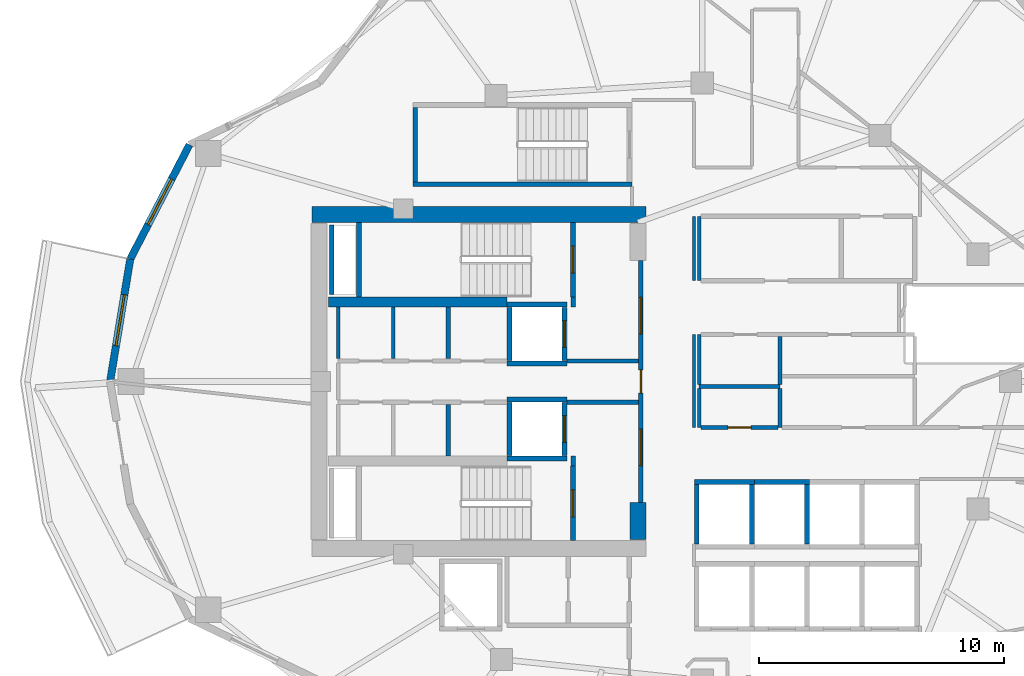
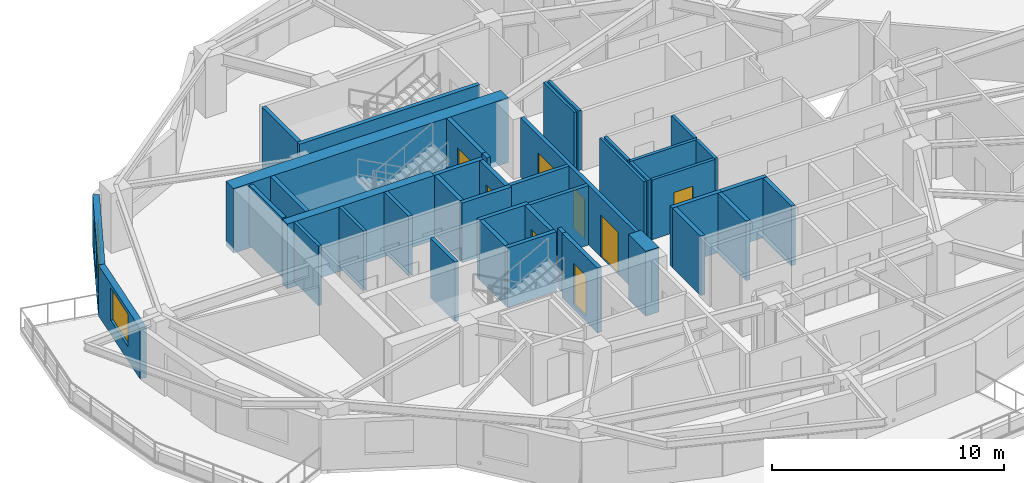
# One storey, part 4 of 14: 42 walls, 8 doors, 2 windows, 10 openings.
"""IFC4 building model written with IfcOpenShell, lengths in metres."""

from ifc_helpers import new_model, si_unit, direction, frame, frame_2d, origin, place, context, subcontext, project, spatial, rectangle, extrude, material, layer, layer_set, type_object, element, fill, save


model = new_model("IFC4")

# Units and contexts
model_context = context("Model", 3, precision=1e-05, world=origin(), true_north=direction((0.0, 1.0)))
body_context = subcontext(model_context, "Body", "Model", "MODEL_VIEW")
ifc_project = project(units=[si_unit("LENGTHUNIT", "METRE"), si_unit("AREAUNIT", "SQUARE_METRE"), si_unit("VOLUMEUNIT", "CUBIC_METRE"), si_unit("PLANEANGLEUNIT", "RADIAN"), si_unit("MASSUNIT", "GRAM", prefix="KILO")], contexts=[model_context])

# Site, building, storey
site_placement = place(None, origin())
site = spatial("IfcSite", under=ifc_project, at=site_placement, CompositionType="ELEMENT")
building_placement = place(site_placement, origin())
building = spatial("IfcBuilding", under=site, at=building_placement, Name="Kolvaren Gate Tower and Convention Centre", CompositionType="ELEMENT")
storey_placement = place(building_placement, frame((0.0, 0.0, 112.10009765625)))
storey = spatial("IfcBuildingStorey", under=building, at=storey_placement, Name="L27", CompositionType="ELEMENT", Elevation=112.10009765625)

# Walls
ifc_material_1 = material(Name="Autoclaved Aerated Masonry Blockwork Class 4 (4.0 MPa)", Category="masonry")
ifc_layer_1 = layer(ifc_material_1, 0.179931640625)
ifc_layer_set_1 = layer_set([ifc_layer_1], Name="Autoclaved Aerated Masonry Blockwork Class 4 (4.0 MPa)")
wall_type_1 = type_object("IfcWallType", Name="ARCH-WL-COMP-180", PredefinedType="SOLIDWALL", material=ifc_layer_set_1)
for number, where, z_axis, x_axis, name in (
    (1, (24.85009765625, 23.5400390625, 0.0), (0.0, 0.0, 1.0), (0.0, 1.0, 0.0), "Interior Partition WL-L27-INT-001"),
    (2, (24.85009765625, 30.0400390625, 0.0), (0.0, 0.0, 1.0), (0.0, 1.0, 0.0), "Interior Partition WL-L27-INT-002"),
):
    element("IfcWall", number, at=place(storey_placement, frame(where, z_axis=z_axis, x_axis=x_axis)), inside=storey, type_object=wall_type_1, Name=name, PredefinedType="SOLIDWALL", context=body_context, shape_type="SweptSolid", body=[
        extrude(rectangle(XDim=0.419921875, YDim=0.179931640625, at=frame_2d((0.2099609375, 0.0))), origin(), (0.0, 0.0, 1.0), 3.1298828125),
    ])

# Wall, openings, doors
wall_1_placement = place(storey_placement, frame((27.6201171875, 22.050048828125, 0.0), z_axis=(0.0, 0.0, 1.0), x_axis=(0.0, 1.0, 0.0)))
wall_1 = element("IfcWall", 3, at=wall_1_placement, inside=storey, type_object=wall_type_1, Name="Interior Partition WL-L27-INT-003", PredefinedType="SOLIDWALL", context=body_context, shape_type="SweptSolid", body=[
    extrude(rectangle(XDim=9.89990234375, YDim=0.179931640625, at=frame_2d((4.949951171875, 0.0))), origin(), (0.0, 0.0, 1.0), 3.1298828125),
])
opening_1_placement = place(wall_1_placement, frame((4.47509765625, 0.0, 0.0)))
opening_1 = element("IfcOpeningElement", 4, at=opening_1_placement, cuts=wall_1, Name="Opening DR-01", PredefinedType="OPENING", context=body_context, shape_type="SweptSolid", body=[
    extrude(rectangle(XDim=0.949951171875, YDim=2.10009765625, at=frame_2d((0.47509765625, 1.050048828125))), frame((0.0, 0.099853515625, 0.0), z_axis=(0.0, -1.0, 0.0), x_axis=(1.0, 0.0, 0.0)), (0.0, 0.0, 1.0), 0.199951171875),
])
opening_2_placement = place(wall_1_placement, frame((6.889892578125, 0.0, 0.0)))
opening_2 = element("IfcOpeningElement", 5, at=opening_2_placement, cuts=wall_1, Name="Opening DL-01", PredefinedType="OPENING", context=body_context, shape_type="SweptSolid", body=[
    extrude(rectangle(XDim=1.5, YDim=2.199951171875, at=frame_2d((0.75, 1.10009765625))), frame((0.0, 0.099853515625, 0.0), z_axis=(0.0, -1.0, 0.0), x_axis=(1.0, 0.0, 0.0)), (0.0, 0.0, 1.0), 0.199951171875),
])
opening_3_placement = place(wall_1_placement, frame((1.510009765625, 0.0, 0.0)))
opening_3 = element("IfcOpeningElement", 6, at=opening_3_placement, cuts=wall_1, Name="Opening DL-01", PredefinedType="OPENING", context=body_context, shape_type="SweptSolid", body=[
    extrude(rectangle(XDim=1.5, YDim=2.199951171875, at=frame_2d((0.75, 1.10009765625))), frame((0.0, 0.099853515625, 0.0), z_axis=(0.0, -1.0, 0.0), x_axis=(1.0, 0.0, 0.0)), (0.0, 0.0, 1.0), 0.199951171875),
])
ifc_material_2 = material(Name="Painted Architectural Steelwork ASTM A500 Grade C 345 MPa", Category="steel")
door_type_1 = type_object("IfcDoorType", Name="ARCH-DR-LOBBY-1500", OperationType="DOUBLE_DOOR_SINGLE_SWING", PredefinedType="DOOR", material=ifc_material_2)
door_1_placement = place(opening_2_placement, origin())
door_1 = element("IfcDoor", 7, at=door_1_placement, inside=storey, type_object=door_type_1, Name="North Firefighting Stair and Lift Lobby Door", OperationType="DOUBLE_DOOR_SINGLE_SWING", OverallHeight=2.199951171875, OverallWidth=1.5, PredefinedType="DOOR", context=body_context, shape_type="SweptSolid", body=[
    extrude(rectangle(XDim=1.5, YDim=2.199951171875, at=frame_2d((0.75, 1.10009765625))), frame((0.0, 0.02490234375, 0.0), z_axis=(0.0, -1.0, 0.0), x_axis=(1.0, 0.0, 0.0)), (0.0, 0.0, 1.0), 0.050048828125),
])
fill(opening_2, door_1)
door_2_placement = place(opening_3_placement, origin())
door_2 = element("IfcDoor", 8, at=door_2_placement, inside=storey, type_object=door_type_1, Name="South Firefighting Stair and Lift Lobby Door", OperationType="DOUBLE_DOOR_SINGLE_SWING", OverallHeight=2.199951171875, OverallWidth=1.5, PredefinedType="DOOR", context=body_context, shape_type="SweptSolid", body=[
    extrude(rectangle(XDim=1.5, YDim=2.199951171875, at=frame_2d((0.75, 1.10009765625))), frame((0.0, 0.02490234375, 0.0), z_axis=(0.0, -1.0, 0.0), x_axis=(1.0, 0.0, 0.0)), (0.0, 0.0, 1.0), 0.050048828125),
])
fill(opening_3, door_2)
door_type_2 = type_object("IfcDoorType", Name="ARCH-DR-RISER-950", OperationType="SINGLE_SWING_RIGHT", PredefinedType="DOOR", material=ifc_material_2)
door_3_placement = place(opening_1_placement, origin())
door_3 = element("IfcDoor", 9, at=door_3_placement, inside=storey, type_object=door_type_2, Name="Central MEP Service Corridor Door", OperationType="SINGLE_SWING_LEFT", OverallHeight=2.10009765625, OverallWidth=0.949951171875, PredefinedType="DOOR", context=body_context, shape_type="SweptSolid", body=[
    extrude(rectangle(XDim=0.949951171875, YDim=2.10009765625, at=frame_2d((0.47509765625, 1.050048828125))), frame((0.0, 0.02490234375, 0.0), z_axis=(0.0, -1.0, 0.0), x_axis=(1.0, 0.0, 0.0)), (0.0, 0.0, 1.0), 0.050048828125),
])
fill(opening_1, door_3)

# Walls
for number, where, z_axis, x_axis, name in (
    (10, (24.60009765625, 27.840087890625, 0.0), (0.0, 0.0, 1.0), (1.0, 0.0, 0.0), "Interior Partition WL-L27-INT-004 (2)"),
    (11, (24.60009765625, 26.159912109375, 0.0), (0.0, 0.0, 1.0), (1.0, 0.0, 0.0), "Interior Partition WL-L27-INT-005 (2)"),
):
    element("IfcWall", number, at=place(storey_placement, frame(where, z_axis=z_axis, x_axis=x_axis)), inside=storey, type_object=wall_type_1, Name=name, PredefinedType="SOLIDWALL", context=body_context, shape_type="SweptSolid", body=[
        extrude(rectangle(XDim=2.927978515625, YDim=0.179931640625, at=frame_2d((1.4638671875, 0.0))), origin(), (0.0, 0.0, 1.0), 3.1298828125),
    ])
for number, where, z_axis, x_axis, name in (
    (12, (19.75, 23.9619140625, 0.0), (0.0, 0.0, 1.0), (0.0, 1.0, 0.0), "Interior Partition WL-L27-INT-007"),
    (13, (19.75, 27.931884765625, 0.0), (0.0, 0.0, 1.0), (0.0, 1.0, 0.0), "Interior Partition WL-L27-INT-008"),
):
    element("IfcWall", number, at=place(storey_placement, frame(where, z_axis=z_axis, x_axis=x_axis)), inside=storey, type_object=wall_type_1, Name=name, PredefinedType="SOLIDWALL", context=body_context, shape_type="SweptSolid", body=[
        extrude(rectangle(XDim=2.106201171875, YDim=0.179931640625, at=frame_2d((1.05322265625, 0.0))), origin(), (0.0, 0.0, 1.0), 3.1298828125),
    ])
ifc_material_3 = material(Name="Fire-Rated Acoustic Gypsum Stud Partition", Category="gypsum")
ifc_layer_2 = layer(ifc_material_3, 0.1201171875)
ifc_layer_set_2 = layer_set([ifc_layer_2], Name="Fire-Rated Acoustic Gypsum Stud Partition")
wall_type_2 = type_object("IfcWallType", Name="ARCH-WL-PART-120", PredefinedType="PARTITIONING", material=ifc_layer_set_2)
wall_2_placement = place(storey_placement, frame((29.780029296875, 25.1201171875, 0.0), z_axis=(0.0, 0.0, 1.0), x_axis=(0.0, 1.0, 0.0)))
element("IfcWall", 14, at=wall_2_placement, inside=storey, type_object=wall_type_2, Name="Interior Partition WL-L27-INT-036", PredefinedType="PARTITIONING", context=body_context, shape_type="SweptSolid", body=[
    extrude(rectangle(XDim=3.7998046875, YDim=0.1201171875, at=frame_2d((1.89990234375, 0.0))), origin(), (0.0, 0.0, 1.0), 3.1298828125),
])
wall_3_placement = place(storey_placement, frame((29.780029296875, 31.1201171875, 0.0), z_axis=(0.0, 0.0, 1.0), x_axis=(0.0, 1.0, 0.0)))
element("IfcWall", 15, at=wall_3_placement, inside=storey, type_object=wall_type_2, Name="Interior Partition WL-L27-INT-037", PredefinedType="PARTITIONING", context=body_context, shape_type="SweptSolid", body=[
    extrude(rectangle(XDim=2.6298828125, YDim=0.1201171875, at=frame_2d((1.31494140625, 0.0))), origin(), (0.0, 0.0, 1.0), 3.1298828125),
])
ifc_layer_3 = layer(ifc_material_1, 0.199951171875)
ifc_layer_set_3 = layer_set([ifc_layer_3], Name="Autoclaved Aerated Masonry Blockwork Class 4 (4.0 MPa)")
wall_type_3 = type_object("IfcWallType", Name="ARCH-WL-SHAFT-200", PredefinedType="SOLIDWALL", material=ifc_layer_set_3)
for number, where, z_axis, x_axis, name in (
    (16, (22.14990234375, 30.139892578125, 0.0), (0.0, 0.0, 1.0), (1.0, 0.0, 0.0), "Elevator FF-01 L27 Fire Shaft Wall N"),
    (17, (22.14990234375, 27.739990234375, 0.0), (0.0, 0.0, 1.0), (1.0, 0.0, 0.0), "Elevator FF-01 L27 Fire Shaft Wall S"),
):
    element("IfcWall", number, at=place(storey_placement, frame(where, z_axis=z_axis, x_axis=x_axis)), inside=storey, type_object=wall_type_3, Name=name, PredefinedType="SOLIDWALL", context=body_context, shape_type="SweptSolid", body=[
        extrude(rectangle(XDim=2.4501953125, YDim=0.199951171875, at=frame_2d((1.22509765625, 0.0))), origin(), (0.0, 0.0, 1.0), 3.1298828125),
    ])
wall_4_placement = place(storey_placement, frame((22.25, 27.85009765625, 0.0), z_axis=(0.0, 0.0, 1.0), x_axis=(0.0, 1.0, 0.0)))
element("IfcWall", 18, at=wall_4_placement, inside=storey, type_object=wall_type_3, Name="Elevator FF-01 L27 Fire Shaft Wall W", PredefinedType="SOLIDWALL", context=body_context, shape_type="SweptSolid", body=[
    extrude(rectangle(XDim=2.179931640625, YDim=0.199951171875, at=frame_2d((1.08984375, 0.0))), origin(), (0.0, 0.0, 1.0), 3.1298828125),
])

# Wall, opening, door
wall_5_placement = place(storey_placement, frame((24.5, 27.85009765625, 0.0), z_axis=(0.0, 0.0, 1.0), x_axis=(0.0, 1.0, 0.0)))
wall_5 = element("IfcWall", 19, at=wall_5_placement, inside=storey, type_object=wall_type_3, Name="Elevator FF-01 L27 Fire Shaft Wall E", PredefinedType="SOLIDWALL", context=body_context, shape_type="SweptSolid", body=[
    extrude(rectangle(XDim=2.179931640625, YDim=0.199951171875, at=frame_2d((1.08984375, 0.0))), origin(), (0.0, 0.0, 1.0), 3.1298828125),
])
opening_4_placement = place(wall_5_placement, frame((0.5400390625, 0.0, 0.0)))
opening_4 = element("IfcOpeningElement", 20, at=opening_4_placement, cuts=wall_5, Name="Opening LD", PredefinedType="OPENING", context=body_context, shape_type="SweptSolid", body=[
    extrude(rectangle(XDim=1.10009765625, YDim=2.199951171875, at=frame_2d((0.550048828125, 1.10009765625))), frame((0.0, 0.10986328125, 0.0), z_axis=(0.0, -1.0, 0.0), x_axis=(1.0, 0.0, 0.0)), (0.0, 0.0, 1.0), 0.219970703125),
])
ifc_material_4 = material(Name="Brushed Stainless Steel Grade 316L", Category="steel")
door_type_3 = type_object("IfcDoorType", Name="ARCH-DR-LIFT-1100", OperationType="SLIDING_TO_LEFT", PredefinedType="DOOR", material=ifc_material_4)
door_4_placement = place(opening_4_placement, origin())
door_4 = element("IfcDoor", 21, at=door_4_placement, inside=storey, type_object=door_type_3, Name="Elevator FF-01 L27 Sliding Landing Door", OperationType="SLIDING_TO_LEFT", OverallHeight=2.199951171875, OverallWidth=1.10009765625, PredefinedType="DOOR", context=body_context, shape_type="SweptSolid", body=[
    extrude(rectangle(XDim=1.10009765625, YDim=2.199951171875, at=frame_2d((0.550048828125, 1.10009765625))), frame((0.0, 0.02490234375, 0.0), z_axis=(0.0, -1.0, 0.0), x_axis=(1.0, 0.0, 0.0)), (0.0, 0.0, 1.0), 0.050048828125),
])
fill(opening_4, door_4)

# Walls
for number, where, z_axis, x_axis, name in (
    (22, (22.14990234375, 26.260009765625, 0.0), (0.0, 0.0, 1.0), (1.0, 0.0, 0.0), "Elevator FF-02 L27 Fire Shaft Wall N"),
    (23, (22.14990234375, 23.860107421875, 0.0), (0.0, 0.0, 1.0), (1.0, 0.0, 0.0), "Elevator FF-02 L27 Fire Shaft Wall S"),
):
    element("IfcWall", number, at=place(storey_placement, frame(where, z_axis=z_axis, x_axis=x_axis)), inside=storey, type_object=wall_type_3, Name=name, PredefinedType="SOLIDWALL", context=body_context, shape_type="SweptSolid", body=[
        extrude(rectangle(XDim=2.4501953125, YDim=0.199951171875, at=frame_2d((1.22509765625, 0.0))), origin(), (0.0, 0.0, 1.0), 3.1298828125),
    ])
wall_6_placement = place(storey_placement, frame((22.25, 23.969970703125, 0.0), z_axis=(0.0, 0.0, 1.0), x_axis=(0.0, 1.0, 0.0)))
element("IfcWall", 24, at=wall_6_placement, inside=storey, type_object=wall_type_3, Name="Elevator FF-02 L27 Fire Shaft Wall W", PredefinedType="SOLIDWALL", context=body_context, shape_type="SweptSolid", body=[
    extrude(rectangle(XDim=2.179931640625, YDim=0.199951171875, at=frame_2d((1.08984375, 0.0))), origin(), (0.0, 0.0, 1.0), 3.1298828125),
])

# Wall, opening, door
wall_7_placement = place(storey_placement, frame((24.5, 23.969970703125, 0.0), z_axis=(0.0, 0.0, 1.0), x_axis=(0.0, 1.0, 0.0)))
wall_7 = element("IfcWall", 25, at=wall_7_placement, inside=storey, type_object=wall_type_3, Name="Elevator FF-02 L27 Fire Shaft Wall E", PredefinedType="SOLIDWALL", context=body_context, shape_type="SweptSolid", body=[
    extrude(rectangle(XDim=2.179931640625, YDim=0.199951171875, at=frame_2d((1.08984375, 0.0))), origin(), (0.0, 0.0, 1.0), 3.1298828125),
])
opening_5_placement = place(wall_7_placement, frame((0.5400390625, 0.0, 0.0)))
opening_5 = element("IfcOpeningElement", 26, at=opening_5_placement, cuts=wall_7, Name="Opening LD", PredefinedType="OPENING", context=body_context, shape_type="SweptSolid", body=[
    extrude(rectangle(XDim=1.10009765625, YDim=2.199951171875, at=frame_2d((0.550048828125, 1.10009765625))), frame((0.0, 0.10986328125, 0.0), z_axis=(0.0, -1.0, 0.0), x_axis=(1.0, 0.0, 0.0)), (0.0, 0.0, 1.0), 0.219970703125),
])
door_5_placement = place(opening_5_placement, origin())
door_5 = element("IfcDoor", 27, at=door_5_placement, inside=storey, type_object=door_type_3, Name="Elevator FF-02 L27 Sliding Landing Door", OperationType="SLIDING_TO_LEFT", OverallHeight=2.199951171875, OverallWidth=1.10009765625, PredefinedType="DOOR", context=body_context, shape_type="SweptSolid", body=[
    extrude(rectangle(XDim=1.10009765625, YDim=2.199951171875, at=frame_2d((0.550048828125, 1.10009765625))), frame((0.0, 0.02490234375, 0.0), z_axis=(0.0, -1.0, 0.0), x_axis=(1.0, 0.0, 0.0)), (0.0, 0.0, 1.0), 0.050048828125),
])
fill(opening_5, door_5)

# Walls
wall_8_placement = place(storey_placement, frame((29.800048828125, 22.89990234375, 0.0), z_axis=(0.0, 0.0, 1.0), x_axis=(1.0, 0.0, 0.0)))
element("IfcWall", 28, at=wall_8_placement, inside=storey, type_object=wall_type_3, Name="Elevator PL-09 L27 Fire Shaft Wall N", PredefinedType="SOLIDWALL", context=body_context, shape_type="SweptSolid", body=[
    extrude(rectangle(XDim=2.449951171875, YDim=0.199951171875, at=frame_2d((1.22509765625, 0.0))), origin(), (0.0, 0.0, 1.0), 3.1298828125),
])
for number, where, z_axis, x_axis, name in (
    (29, (29.89990234375, 20.360107421875, 0.0), (0.0, 0.0, 1.0), (0.0, 1.0, 0.0), "Elevator PL-09 L27 Fire Shaft Wall W"),
    (30, (32.14990234375, 20.360107421875, 0.0), (0.0, 0.0, 1.0), (0.0, 1.0, 0.0), "Elevator PL-09 L27 Fire Shaft Wall E"),
):
    element("IfcWall", number, at=place(storey_placement, frame(where, z_axis=z_axis, x_axis=x_axis)), inside=storey, type_object=wall_type_3, Name=name, PredefinedType="SOLIDWALL", context=body_context, shape_type="SweptSolid", body=[
        extrude(rectangle(XDim=2.429931640625, YDim=0.199951171875, at=frame_2d((1.21484375, 0.0))), origin(), (0.0, 0.0, 1.0), 3.1298828125),
    ])
wall_9_placement = place(storey_placement, frame((32.25, 22.89990234375, 0.0), z_axis=(0.0, 0.0, 1.0), x_axis=(1.0, 0.0, 0.0)))
element("IfcWall", 31, at=wall_9_placement, inside=storey, type_object=wall_type_3, Name="Elevator PL-10 L27 Fire Shaft Wall N", PredefinedType="SOLIDWALL", context=body_context, shape_type="SweptSolid", body=[
    extrude(rectangle(XDim=2.25, YDim=0.199951171875, at=frame_2d((1.125, 0.0))), origin(), (0.0, 0.0, 1.0), 3.1298828125),
])
wall_10_placement = place(storey_placement, frame((34.39990234375, 20.360107421875, 0.0), z_axis=(0.0, 0.0, 1.0), x_axis=(0.0, 1.0, 0.0)))
element("IfcWall", 32, at=wall_10_placement, inside=storey, type_object=wall_type_3, Name="Elevator PL-10 L27 Fire Shaft Wall E", PredefinedType="SOLIDWALL", context=body_context, shape_type="SweptSolid", body=[
    extrude(rectangle(XDim=2.429931640625, YDim=0.199951171875, at=frame_2d((1.21484375, 0.0))), origin(), (0.0, 0.0, 1.0), 3.1298828125),
])
wall_11_placement = place(storey_placement, frame((14.989990234375, 30.550048828125, 0.0), z_axis=(0.0, 0.0, 1.0), x_axis=(0.0, 1.0, 0.0)))
element("IfcWall", 33, at=wall_11_placement, inside=storey, type_object=wall_type_3, Name="Vertical Shaft HVR L27 EI-120 Enclosure Wall W", PredefinedType="SOLIDWALL", context=body_context, shape_type="SweptSolid", body=[
    extrude(rectangle(XDim=2.849853515625, YDim=0.199951171875, at=frame_2d((1.4248046875, 0.0))), origin(), (0.0, 0.0, 1.0), 3.1298828125),
])

# Wall, opening, window
ifc_material_5 = material(Name="Piedmont Cream Honed Limestone Cladding", Category="masonry")
ifc_layer_4 = layer(ifc_material_5, 0.300048828125)
ifc_layer_set_4 = layer_set([ifc_layer_4], Name="Piedmont Cream Honed Limestone Cladding")
wall_type_4 = type_object("IfcWallType", Name="ARCH-WL-STONE-300", PredefinedType="SOLIDWALL", material=ifc_layer_set_4)
wall_12_placement = place(storey_placement, frame((6.76171875, 32.008056640625, 0.0), z_axis=(0.0, 0.0, 1.0), x_axis=(0.459767899643, 0.888039119892, 0.0)))
wall_12 = element("IfcWall", 34, at=wall_12_placement, inside=storey, type_object=wall_type_4, Name="Tower L27 Honed Stone Spandrel Wall EW-10", PredefinedType="SOLIDWALL", context=body_context, shape_type="SweptSolid", body=[
    extrude(rectangle(XDim=5.25537109375, YDim=0.300048828125, at=frame_2d((2.627685546875, 0.0))), origin(), (0.0, 0.0, 1.0), 2.65283203125),
])
opening_6_placement = place(wall_12_placement, frame((1.577880859375, 0.0, 0.739990234375)))
opening_6 = element("IfcOpeningElement", 35, at=opening_6_placement, cuts=wall_12, Name="Opening W-02", PredefinedType="OPENING", context=body_context, shape_type="SweptSolid", body=[
    extrude(rectangle(XDim=2.10009765625, YDim=1.699951171875, at=frame_2d((1.050048828125, 0.85009765625))), frame((0.0, 0.159912109375, 0.0), z_axis=(0.0, -1.0, 0.0), x_axis=(1.0, 0.0, 0.0)), (0.0, 0.0, 1.0), 0.320068359375),
])
ifc_material_6 = material(Name="Low-E Triple Insulated Glazing Unit 44 mm", Category="glass")
window_type = type_object("IfcWindowType", Name="ARCH-WN-HTL-2100", PartitioningType="SINGLE_PANEL", PredefinedType="WINDOW", material=ifc_material_6)
window_1_placement = place(opening_6_placement, origin())
window_1 = element("IfcWindow", 36, at=window_1_placement, inside=storey, type_object=window_type, Name="Tower L27 Punched Stone Facade Window W-10", OverallHeight=1.699951171875, OverallWidth=2.10009765625, PartitioningType="SINGLE_PANEL", PredefinedType="WINDOW", context=body_context, shape_type="SweptSolid", body=[
    extrude(rectangle(XDim=2.10009765625, YDim=1.699951171875, at=frame_2d((1.050048828125, 0.85009765625))), frame((0.0, 0.030029296875, 0.0), z_axis=(0.0, -1.0, 0.0), x_axis=(1.0, 0.0, 0.0)), (0.0, 0.0, 1.0), 0.06005859375),
])
fill(opening_6, window_1)

wall_13_placement = place(storey_placement, frame((5.9375, 27.0, 0.0), z_axis=(0.0, 0.0, 1.0), x_axis=(0.162393944769, 0.986726003864, 0.0)))
wall_13 = element("IfcWall", 37, at=wall_13_placement, inside=storey, type_object=wall_type_4, Name="Tower L27 Honed Stone Spandrel Wall EW-11", PredefinedType="SOLIDWALL", context=body_context, shape_type="SweptSolid", body=[
    extrude(rectangle(XDim=5.075439453125, YDim=0.300048828125, at=frame_2d((2.53759765625, 0.0))), origin(), (0.0, 0.0, 1.0), 2.65283203125),
])
opening_7_placement = place(wall_13_placement, frame((1.488037109375, 0.0, 0.739990234375)))
opening_7 = element("IfcOpeningElement", 38, at=opening_7_placement, cuts=wall_13, Name="Opening W-02", PredefinedType="OPENING", context=body_context, shape_type="SweptSolid", body=[
    extrude(rectangle(XDim=2.10009765625, YDim=1.699951171875, at=frame_2d((1.050048828125, 0.85009765625))), frame((0.0, 0.159912109375, 0.0), z_axis=(0.0, -1.0, 0.0), x_axis=(1.0, 0.0, 0.0)), (0.0, 0.0, 1.0), 0.320068359375),
])
window_2_placement = place(opening_7_placement, origin())
window_2 = element("IfcWindow", 39, at=window_2_placement, inside=storey, type_object=window_type, Name="Tower L27 Punched Stone Facade Window W-11", OverallHeight=1.699951171875, OverallWidth=2.10009765625, PartitioningType="SINGLE_PANEL", PredefinedType="WINDOW", context=body_context, shape_type="SweptSolid", body=[
    extrude(rectangle(XDim=2.10009765625, YDim=1.699951171875, at=frame_2d((1.050048828125, 0.85009765625))), frame((0.0, 0.030029296875, 0.0), z_axis=(0.0, -1.0, 0.0), x_axis=(1.0, 0.0, 0.0)), (0.0, 0.0, 1.0), 0.06005859375),
])
fill(opening_7, window_2)

# Walls
ifc_material_7 = material(Name="Moisture-Resistant Cement-Board Acoustic Partition", Category="gypsum")
ifc_layer_5 = layer(ifc_material_7, 0.14990234375)
ifc_layer_set_5 = layer_set([ifc_layer_5], Name="Moisture-Resistant Cement-Board Acoustic Partition")
wall_type_5 = type_object("IfcWallType", Name="ARCH-WL-WET-150", PredefinedType="PARTITIONING", material=ifc_layer_set_5)
for number, where, z_axis, x_axis, name in (
    (40, (15.25, 27.931884765625, 0.0), (0.0, 0.0, 1.0), (0.0, 1.0, 0.0), "Interior Partition WL-L27-INT-006 (3)"),
    (41, (17.5, 27.931884765625, 0.0), (0.0, 0.0, 1.0), (0.0, 1.0, 0.0), "Interior Partition WL-L27-INT-010"),
):
    element("IfcWall", number, at=place(storey_placement, frame(where, z_axis=z_axis, x_axis=x_axis)), inside=storey, type_object=wall_type_5, Name=name, PredefinedType="PARTITIONING", context=body_context, shape_type="SweptSolid", body=[
        extrude(rectangle(XDim=2.106201171875, YDim=0.14990234375, at=frame_2d((1.05322265625, 0.0))), origin(), (0.0, 0.0, 1.0), 3.1298828125),
    ])
wall_14_placement = place(storey_placement, frame((30.0, 26.800048828125, 0.0), z_axis=(0.0, 0.0, 1.0), x_axis=(1.0, 0.0, 0.0)))
element("IfcWall", 42, at=wall_14_placement, inside=storey, type_object=wall_type_5, Name="Interior Partition WL-L27-INT-015", PredefinedType="PARTITIONING", context=body_context, shape_type="SweptSolid", body=[
    extrude(rectangle(XDim=3.300048828125, YDim=0.14990234375, at=frame_2d((1.64990234375, 0.0))), origin(), (0.0, 0.0, 1.0), 3.1298828125),
])
wall_15_placement = place(storey_placement, frame((30.0, 25.1201171875, 0.0), z_axis=(0.0, 0.0, 1.0), x_axis=(0.0, 1.0, 0.0)))
element("IfcWall", 43, at=wall_15_placement, inside=storey, type_object=wall_type_5, Name="Interior Partition WL-L27-INT-016", PredefinedType="PARTITIONING", context=body_context, shape_type="SweptSolid", body=[
    extrude(rectangle(XDim=1.602783203125, YDim=0.14990234375, at=frame_2d((0.80126953125, 0.0))), origin(), (0.0, 0.0, 1.0), 3.1298828125),
])
wall_16_placement = place(storey_placement, frame((30.0, 26.876953125, 0.0), z_axis=(0.0, 0.0, 1.0), x_axis=(0.0, 1.0, 0.0)))
element("IfcWall", 44, at=wall_16_placement, inside=storey, type_object=wall_type_5, Name="Interior Partition WL-L27-INT-016 (2)", PredefinedType="PARTITIONING", context=body_context, shape_type="SweptSolid", body=[
    extrude(rectangle(XDim=2.04296875, YDim=0.14990234375, at=frame_2d((1.021484375, 0.0))), origin(), (0.0, 0.0, 1.0), 3.1298828125),
])
wall_17_placement = place(storey_placement, frame((30.0, 31.1201171875, 0.0), z_axis=(0.0, 0.0, 1.0), x_axis=(0.0, 1.0, 0.0)))
element("IfcWall", 45, at=wall_17_placement, inside=storey, type_object=wall_type_5, Name="Interior Partition WL-L27-INT-017", PredefinedType="PARTITIONING", context=body_context, shape_type="SweptSolid", body=[
    extrude(rectangle(XDim=2.6298828125, YDim=0.14990234375, at=frame_2d((1.31494140625, 0.0))), origin(), (0.0, 0.0, 1.0), 3.1298828125),
])
wall_18_placement = place(storey_placement, frame((33.300048828125, 25.1201171875, 0.0), z_axis=(0.0, 0.0, 1.0), x_axis=(0.0, 1.0, 0.0)))
element("IfcWall", 46, at=wall_18_placement, inside=storey, type_object=wall_type_5, Name="Interior Partition WL-L27-INT-019", PredefinedType="PARTITIONING", context=body_context, shape_type="SweptSolid", body=[
    extrude(rectangle(XDim=1.602783203125, YDim=0.14990234375, at=frame_2d((0.80126953125, 0.0))), origin(), (0.0, 0.0, 1.0), 3.1298828125),
])
wall_19_placement = place(storey_placement, frame((33.300048828125, 26.876953125, 0.0), z_axis=(0.0, 0.0, 1.0), x_axis=(0.0, 1.0, 0.0)))
element("IfcWall", 47, at=wall_19_placement, inside=storey, type_object=wall_type_5, Name="Interior Partition WL-L27-INT-019 (2)", PredefinedType="PARTITIONING", context=body_context, shape_type="SweptSolid", body=[
    extrude(rectangle(XDim=1.966064453125, YDim=0.14990234375, at=frame_2d((0.98291015625, 0.0))), origin(), (0.0, 0.0, 1.0), 3.1298828125),
])

# Wall, opening, door
wall_20_placement = place(storey_placement, frame((30.076904296875, 25.1201171875, 0.0), z_axis=(0.0, 0.0, 1.0), x_axis=(1.0, 0.0, 0.0)))
wall_20 = element("IfcWall", 48, at=wall_20_placement, inside=storey, type_object=wall_type_5, Name="Interior Partition WL-L27-INT-020", PredefinedType="PARTITIONING", context=body_context, shape_type="SweptSolid", body=[
    extrude(rectangle(XDim=3.14599609375, YDim=0.14990234375, at=frame_2d((1.572998046875, 0.0))), origin(), (0.0, 0.0, 1.0), 3.1298828125),
])
opening_8_placement = place(wall_20_placement, frame((1.097900390625, 0.0, 0.0)))
opening_8 = element("IfcOpeningElement", 49, at=opening_8_placement, cuts=wall_20, Name="Opening DR-01", PredefinedType="OPENING", context=body_context, shape_type="SweptSolid", body=[
    extrude(rectangle(XDim=0.949951171875, YDim=2.10009765625, at=frame_2d((0.47509765625, 1.050048828125))), frame((0.0, 0.0849609375, 0.0), z_axis=(0.0, -1.0, 0.0), x_axis=(1.0, 0.0, 0.0)), (0.0, 0.0, 1.0), 0.169921875),
])
door_6_placement = place(opening_8_placement, origin())
door_6 = element("IfcDoor", 50, at=door_6_placement, inside=storey, type_object=door_type_2, Name="South Visitor Washroom Door", OperationType="SINGLE_SWING_RIGHT", OverallHeight=2.10009765625, OverallWidth=0.949951171875, PredefinedType="DOOR", context=body_context, shape_type="SweptSolid", body=[
    extrude(rectangle(XDim=0.949951171875, YDim=2.10009765625, at=frame_2d((0.47509765625, 1.050048828125))), frame((0.0, 0.02490234375, 0.0), z_axis=(0.0, -1.0, 0.0), x_axis=(1.0, 0.0, 0.0)), (0.0, 0.0, 1.0), 0.050048828125),
])
fill(opening_8, door_6)

# Walls
ifc_material_8 = material(Name="Concrete C50/60", Category="concrete")
ifc_layer_6 = layer(ifc_material_8, 0.419921875)
ifc_layer_set_6 = layer_set([ifc_layer_6], Name="Concrete C50/60")
wall_type_6 = type_object("IfcWallType", Name="STR-WL-CONV-420", PredefinedType="SHEAR", material=ifc_layer_set_6)
wall_21_placement = place(storey_placement, frame((14.85009765625, 30.25, -0.27001953125), z_axis=(0.0, 0.0, 1.0), x_axis=(1.0, 0.0, 0.0)))
element("IfcWall", 51, at=wall_21_placement, inside=storey, type_object=wall_type_6, Name="Tower L27 Offset Core Shear Wall WN", PredefinedType="SHEAR", context=body_context, shape_type="SweptSolid", body=[
    extrude(rectangle(XDim=7.2998046875, YDim=0.419921875, at=frame_2d((3.64990234375, 0.0))), origin(), (0.0, 0.0, 1.0), 3.39990234375),
])
ifc_material_9 = material(Name="Concrete C60/75", Category="concrete")
ifc_layer_7 = layer(ifc_material_9, 0.64990234375)
ifc_layer_set_7 = layer_set([ifc_layer_7], Name="Concrete C60/75")
wall_type_7 = type_object("IfcWallType", Name="STR-WL-CORE-650", PredefinedType="SHEAR", material=ifc_layer_set_7)
wall_22_placement = place(storey_placement, frame((14.175048828125, 33.824951171875, -0.27001953125), z_axis=(0.0, 0.0, 1.0), x_axis=(1.0, 0.0, 0.0)))
element("IfcWall", 52, at=wall_22_placement, inside=storey, type_object=wall_type_7, Name="Tower L27 Offset Core Shear Wall N", PredefinedType="SHEAR", context=body_context, shape_type="SweptSolid", body=[
    extrude(rectangle(XDim=13.64990234375, YDim=0.64990234375, at=frame_2d((6.824951171875, 0.0))), origin(), (0.0, 0.0, 1.0), 3.39990234375),
])
wall_23_placement = place(storey_placement, frame((27.5, 20.550048828125, -0.27001953125), z_axis=(0.0, 0.0, 1.0), x_axis=(0.0, 1.0, 0.0)))
element("IfcWall", 53, at=wall_23_placement, inside=storey, type_object=wall_type_7, Name="Tower L27 Offset Core Shear Wall ES", PredefinedType="SHEAR", context=body_context, shape_type="SweptSolid", body=[
    extrude(rectangle(XDim=1.5, YDim=0.64990234375, at=frame_2d((0.75, 0.0))), origin(), (0.0, 0.0, 1.0), 3.39990234375),
])

# Wall, opening, door
ifc_layer_8 = layer(ifc_material_8, 0.199951171875)
ifc_layer_set_8 = layer_set([ifc_layer_8], Name="Concrete C50/60")
wall_type_8 = type_object("IfcWallType", Name="STR-WL-SHAFT-200", PredefinedType="SHEAR", material=ifc_layer_set_8)
wall_24_placement = place(storey_placement, frame((24.85009765625, 30.4599609375, -0.27001953125), z_axis=(0.0, 0.0, 1.0), x_axis=(0.0, 1.0, 0.0)))
wall_24 = element("IfcWall", 54, at=wall_24_placement, inside=storey, type_object=wall_type_8, Name="Tower North Exit Stair ST-T1 L27 Structural Shear Enclosure Wall NEAR", PredefinedType="SHEAR", context=body_context, shape_type="SweptSolid", body=[
    extrude(rectangle(XDim=3.0380859375, YDim=0.199951171875, at=frame_2d((1.51904296875, 0.0))), origin(), (0.0, 0.0, 1.0), 3.39990234375),
])
opening_9_placement = place(wall_24_placement, frame((0.968994140625, 0.0, 0.27001953125)))
opening_9 = element("IfcOpeningElement", 55, at=opening_9_placement, cuts=wall_24, Name="Opening DS-01", PredefinedType="OPENING", context=body_context, shape_type="SweptSolid", body=[
    extrude(rectangle(XDim=1.10009765625, YDim=2.14990234375, at=frame_2d((0.550048828125, 1.074951171875))), frame((0.0, 0.10986328125, 0.0), z_axis=(0.0, -1.0, 0.0), x_axis=(1.0, 0.0, 0.0)), (0.0, 0.0, 1.0), 0.219970703125),
])
door_type_4 = type_object("IfcDoorType", Name="ARCH-DR-STAIR-1100", OperationType="SINGLE_SWING_LEFT", PredefinedType="DOOR", material=ifc_material_2)
door_7_placement = place(opening_9_placement, origin())
door_7 = element("IfcDoor", 56, at=door_7_placement, inside=storey, type_object=door_type_4, Name="Tower North Exit Stair ST-T1 L27 Fire Exit Stair Door", OperationType="SINGLE_SWING_LEFT", OverallHeight=2.14990234375, OverallWidth=1.10009765625, PredefinedType="DOOR", context=body_context, shape_type="SweptSolid", body=[
    extrude(rectangle(XDim=1.10009765625, YDim=2.14990234375, at=frame_2d((0.550048828125, 1.074951171875))), frame((0.0, 0.02490234375, 0.0), z_axis=(0.0, -1.0, 0.0), x_axis=(1.0, 0.0, 0.0)), (0.0, 0.0, 1.0), 0.050048828125),
])
fill(opening_9, door_7)

# Wall
wall_25_placement = place(storey_placement, frame((16.10009765625, 30.4619140625, -0.27001953125), z_axis=(0.0, 0.0, 1.0), x_axis=(0.0, 1.0, 0.0)))
element("IfcWall", 57, at=wall_25_placement, inside=storey, type_object=wall_type_8, Name="Tower North Exit Stair ST-T1 L27 Structural Shear Enclosure Wall FAR", PredefinedType="SHEAR", context=body_context, shape_type="SweptSolid", body=[
    extrude(rectangle(XDim=3.0361328125, YDim=0.199951171875, at=frame_2d((1.51806640625, 0.0))), origin(), (0.0, 0.0, 1.0), 3.39990234375),
])

# Wall, opening, door
wall_26_placement = place(storey_placement, frame((24.85009765625, 20.501953125, -0.27001953125), z_axis=(0.0, 0.0, 1.0), x_axis=(0.0, 1.0, 0.0)))
wall_26 = element("IfcWall", 58, at=wall_26_placement, inside=storey, type_object=wall_type_8, Name="Tower South Exit Stair ST-T2 L27 Structural Shear Enclosure Wall NEAR", PredefinedType="SHEAR", context=body_context, shape_type="SweptSolid", body=[
    extrude(rectangle(XDim=3.0380859375, YDim=0.199951171875, at=frame_2d((1.51904296875, 0.0))), origin(), (0.0, 0.0, 1.0), 3.39990234375),
])
opening_10_placement = place(wall_26_placement, frame((0.968994140625, 0.0, 0.27001953125)))
opening_10 = element("IfcOpeningElement", 59, at=opening_10_placement, cuts=wall_26, Name="Opening DS-01", PredefinedType="OPENING", context=body_context, shape_type="SweptSolid", body=[
    extrude(rectangle(XDim=1.10009765625, YDim=2.14990234375, at=frame_2d((0.550048828125, 1.074951171875))), frame((0.0, 0.10986328125, 0.0), z_axis=(0.0, -1.0, 0.0), x_axis=(1.0, 0.0, 0.0)), (0.0, 0.0, 1.0), 0.219970703125),
])
door_8_placement = place(opening_10_placement, origin())
door_8 = element("IfcDoor", 60, at=door_8_placement, inside=storey, type_object=door_type_4, Name="Tower South Exit Stair ST-T2 L27 Fire Exit Stair Door", OperationType="SINGLE_SWING_LEFT", OverallHeight=2.14990234375, OverallWidth=1.10009765625, PredefinedType="DOOR", context=body_context, shape_type="SweptSolid", body=[
    extrude(rectangle(XDim=1.10009765625, YDim=2.14990234375, at=frame_2d((0.550048828125, 1.074951171875))), frame((0.0, 0.02490234375, 0.0), z_axis=(0.0, -1.0, 0.0), x_axis=(1.0, 0.0, 0.0)), (0.0, 0.0, 1.0), 0.050048828125),
])
fill(opening_10, door_8)

# Walls
wall_27_placement = place(storey_placement, frame((18.39990234375, 35.159912109375, -0.27001953125), z_axis=(0.0, 0.0, 1.0), x_axis=(0.0, 1.0, 0.0)))
element("IfcWall", 61, at=wall_27_placement, inside=storey, type_object=wall_type_8, Name="Tower Mid-Zone Exit Stair ST-T3 L27 Structural Shear Enclosure Wall FAR", PredefinedType="SHEAR", context=body_context, shape_type="SweptSolid", body=[
    extrude(rectangle(XDim=3.0400390625, YDim=0.199951171875, at=frame_2d((1.52001953125, 0.0))), origin(), (0.0, 0.0, 1.0), 3.39990234375),
])
wall_28_placement = place(storey_placement, frame((18.300048828125, 35.06005859375, -0.27001953125), z_axis=(0.0, 0.0, 1.0), x_axis=(1.0, 0.0, 0.0)))
element("IfcWall", 62, at=wall_28_placement, inside=storey, type_object=wall_type_8, Name="Tower Mid-Zone Exit Stair ST-T3 L27 Structural Shear Enclosure Wall RGHT", PredefinedType="SHEAR", context=body_context, shape_type="SweptSolid", body=[
    extrude(rectangle(XDim=8.949951171875, YDim=0.199951171875, at=frame_2d((4.47509765625, 0.0))), origin(), (0.0, 0.0, 1.0), 3.39990234375),
])

save(model, "model.ifc")
